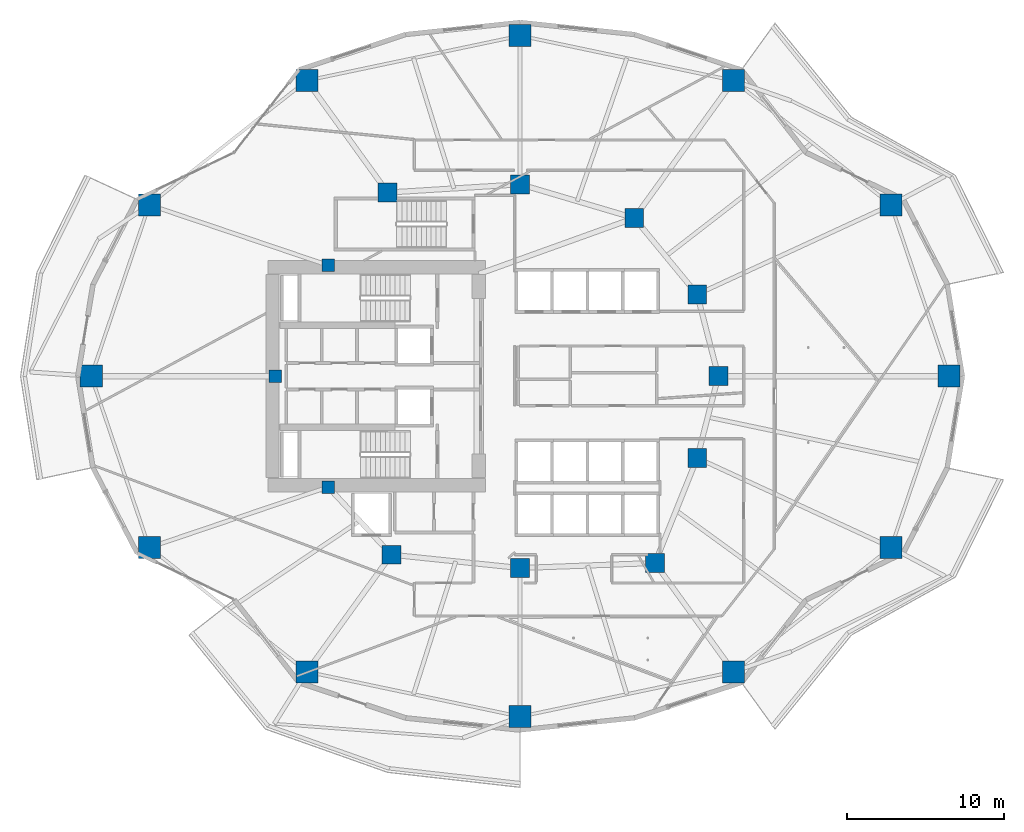
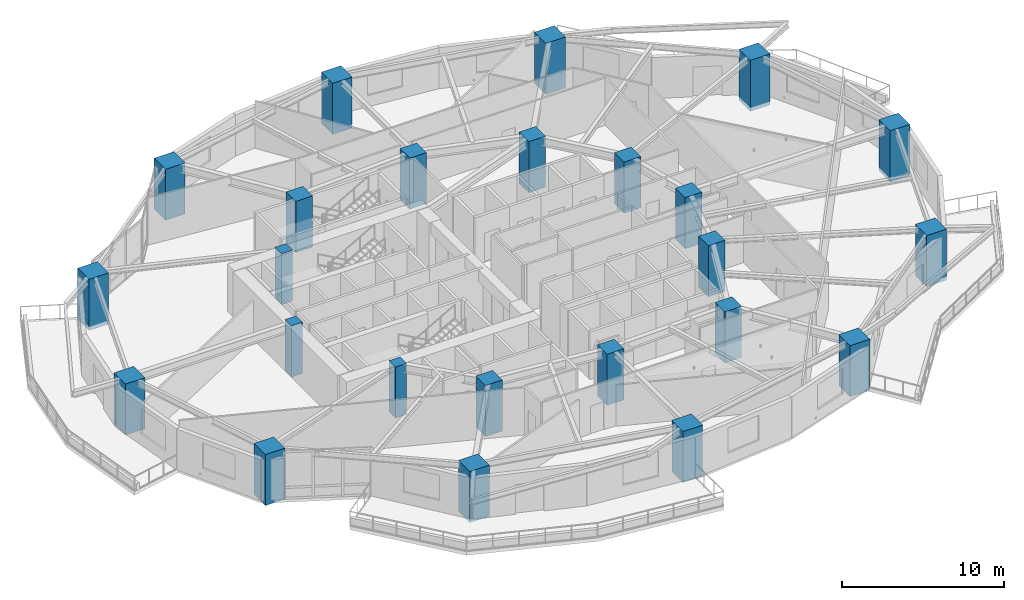
# One storey, part 1 of 19: 24 columns.
"""IFC4 building model written with IfcOpenShell, lengths in metres."""

from ifc_helpers import new_model, si_unit, direction, frame, origin, origin_2d, place, context, subcontext, project, spatial, rectangle, extrude, material, material_profile, profile_set, type_object, element, save


model = new_model("IFC4")

# Units and contexts
model_context = context("Model", 3, precision=1e-05, world=origin(), true_north=direction((0.0, 1.0)))
body_context = subcontext(model_context, "Body", "Model", "MODEL_VIEW")
ifc_project = project(units=[si_unit("LENGTHUNIT", "METRE"), si_unit("AREAUNIT", "SQUARE_METRE"), si_unit("VOLUMEUNIT", "CUBIC_METRE"), si_unit("PLANEANGLEUNIT", "RADIAN"), si_unit("MASSUNIT", "GRAM", prefix="KILO")], contexts=[model_context])

# Site, building, storey
site_placement = place(None, origin())
site = spatial("IfcSite", under=ifc_project, at=site_placement, CompositionType="ELEMENT")
building_placement = place(site_placement, origin())
building = spatial("IfcBuilding", under=site, at=building_placement, Name="Kolvaren Gate Tower and Convention Centre", CompositionType="ELEMENT")
storey_placement = place(building_placement, frame((0.0, 0.0, 38.050048828125)))
storey = spatial("IfcBuildingStorey", under=building, at=storey_placement, Name="L08", CompositionType="ELEMENT", Elevation=38.050048828125)

# Columns
ifc_material_1 = material(Name="Concrete C70/85", Category="concrete")
ifc_material_profile_1 = material_profile(ifc_material_1, rectangle(XDim=1.199951171875, YDim=1.199951171875, at=origin_2d()), Name="RC-COL-1200X1200")
ifc_profile_set_1 = profile_set([ifc_material_profile_1], Name="Concrete C70/85")
column_type_1 = type_object("IfcColumnType", Name="STR-COL-RC1200", PredefinedType="COLUMN", material=ifc_profile_set_1)
for number, where, z_axis, x_axis, name in (
    (1, (42.72509765625, 27.0, -0.280029296875), (0.0, 0.0, 1.0), (1.0, 0.0, 0.0), "Tower L08 Interior Column TI-01"),
    (2, (41.382080078125, 32.199462890625, -0.280029296875), (0.0, 0.0, 1.0), (1.0, 0.0, 0.0), "Tower L08 Interior Column TI-02"),
    (3, (37.381591796875, 37.054931640625, -0.280029296875), (0.0, 0.0, 1.0), (1.0, 0.0, 0.0), "Tower L08 Interior Column TI-03"),
    (4, (30.125, 39.199951171875, -0.280029296875), (0.0, 0.0, 1.0), (1.0, 0.0, 0.0), "Tower L08 Interior Column TI-04"),
    (5, (21.697998046875, 38.6767578125, -0.280029296875), (0.0, 0.0, 1.0), (1.0, 0.0, 0.0), "Tower L08 Interior Column TI-05"),
    (6, (21.93212890625, 15.647705078125, -0.280029296875), (0.0, 0.0, 1.0), (1.0, 0.0, 0.0), "Tower L08 Interior Column TI-06"),
    (7, (30.125, 14.800048828125, -0.280029296875), (0.0, 0.0, 1.0), (1.0, 0.0, 0.0), "Tower L08 Interior Column TI-07"),
    (8, (38.6982421875, 15.12060546875, -0.280029296875), (0.0, 0.0, 1.0), (1.0, 0.0, 0.0), "Tower L08 Interior Column TI-08"),
    (9, (41.382080078125, 21.800537109375, -0.280029296875), (0.0, 0.0, 1.0), (1.0, 0.0, 0.0), "Tower L08 Interior Column TI-09"),
):
    element("IfcColumn", number, at=place(storey_placement, frame(where, z_axis=z_axis, x_axis=x_axis)), inside=storey, type_object=column_type_1, Name=name, PredefinedType="COLUMN", context=body_context, shape_type="SweptSolid", body=[
        extrude(rectangle(XDim=1.199951171875, YDim=1.199951171875, at=origin_2d()), origin(), (0.0, 0.0, 1.0), 3.85009765625),
    ])
ifc_material_profile_2 = material_profile(ifc_material_1, rectangle(XDim=1.39990234375, YDim=1.39990234375, at=origin_2d()), Name="RC-COL-1400X1400")
ifc_profile_set_2 = profile_set([ifc_material_profile_2], Name="Concrete C70/85")
column_type_2 = type_object("IfcColumnType", Name="STR-COL-RC1400", PredefinedType="COLUMN", material=ifc_profile_set_2)
for number, where, z_axis, x_axis, name in (
    (10, (57.39990234375, 27.0, -0.280029296875), (0.0, 0.0, 1.0), (1.0, 0.0, 0.0), "Tower L08 Perimeter Supercolumn TP-01"),
    (11, (53.710205078125, 37.8935546875, -0.280029296875), (0.0, 0.0, 1.0), (1.0, 0.0, 0.0), "Tower L08 Perimeter Supercolumn TP-02"),
    (12, (43.690185546875, 45.79638671875, -0.280029296875), (0.0, 0.0, 1.0), (1.0, 0.0, 0.0), "Tower L08 Perimeter Supercolumn TP-03"),
    (13, (30.125, 48.64990234375, -0.280029296875), (0.0, 0.0, 1.0), (1.0, 0.0, 0.0), "Tower L08 Perimeter Supercolumn TP-04"),
    (14, (16.559814453125, 45.79638671875, -0.280029296875), (0.0, 0.0, 1.0), (1.0, 0.0, 0.0), "Tower L08 Perimeter Supercolumn TP-05"),
    (15, (6.539794921875, 37.8935546875, -0.280029296875), (0.0, 0.0, 1.0), (1.0, 0.0, 0.0), "Tower L08 Perimeter Supercolumn TP-06"),
    (16, (2.85009765625, 27.0, -0.280029296875), (0.0, 0.0, 1.0), (1.0, 0.0, 0.0), "Tower L08 Perimeter Supercolumn TP-07"),
    (17, (6.539794921875, 16.1064453125, -0.280029296875), (0.0, 0.0, 1.0), (1.0, 0.0, 0.0), "Tower L08 Perimeter Supercolumn TP-08"),
    (18, (16.559814453125, 8.20361328125, -0.280029296875), (0.0, 0.0, 1.0), (1.0, 0.0, 0.0), "Tower L08 Perimeter Supercolumn TP-09"),
    (19, (30.125, 5.35009765625, -0.280029296875), (0.0, 0.0, 1.0), (1.0, 0.0, 0.0), "Tower L08 Perimeter Supercolumn TP-10"),
    (20, (43.690185546875, 8.20361328125, -0.280029296875), (0.0, 0.0, 1.0), (1.0, 0.0, 0.0), "Tower L08 Perimeter Supercolumn TP-11"),
    (21, (53.710205078125, 16.1064453125, -0.280029296875), (0.0, 0.0, 1.0), (1.0, 0.0, 0.0), "Tower L08 Perimeter Supercolumn TP-12"),
):
    element("IfcColumn", number, at=place(storey_placement, frame(where, z_axis=z_axis, x_axis=x_axis)), inside=storey, type_object=column_type_2, Name=name, PredefinedType="COLUMN", context=body_context, shape_type="SweptSolid", body=[
        extrude(rectangle(XDim=1.39990234375, YDim=1.39990234375, at=origin_2d()), origin(), (0.0, 0.0, 1.0), 3.85009765625),
    ])
ifc_material_2 = material(Name="Concrete C60/75", Category="concrete")
ifc_material_profile_3 = material_profile(ifc_material_2, rectangle(XDim=0.800048828125, YDim=0.800048828125, at=origin_2d()), Name="RC-COL-800X800")
ifc_profile_set_3 = profile_set([ifc_material_profile_3], Name="Concrete C60/75")
column_type_3 = type_object("IfcColumnType", Name="STR-PIL-RC800", PredefinedType="PILASTER", material=ifc_profile_set_3)
for number, where, z_axis, x_axis, name in (
    (22, (17.9140625, 34.050048828125, -0.280029296875), (0.0, 0.0, 1.0), (1.0, 0.0, 0.0), "Tower L08 Core Boundary Pilaster TC-05"),
    (23, (14.550048828125, 27.0, -0.280029296875), (0.0, 0.0, 1.0), (1.0, 0.0, 0.0), "Tower L08 Core Boundary Pilaster TC-06"),
    (24, (17.9140625, 19.949951171875, -0.280029296875), (0.0, 0.0, 1.0), (1.0, 0.0, 0.0), "Tower L08 Core Boundary Pilaster TC-07"),
):
    element("IfcColumn", number, at=place(storey_placement, frame(where, z_axis=z_axis, x_axis=x_axis)), inside=storey, type_object=column_type_3, Name=name, PredefinedType="PILASTER", context=body_context, shape_type="SweptSolid", body=[
        extrude(rectangle(XDim=0.800048828125, YDim=0.800048828125, at=origin_2d()), origin(), (0.0, 0.0, 1.0), 3.85009765625),
    ])

save(model, "model.ifc")
